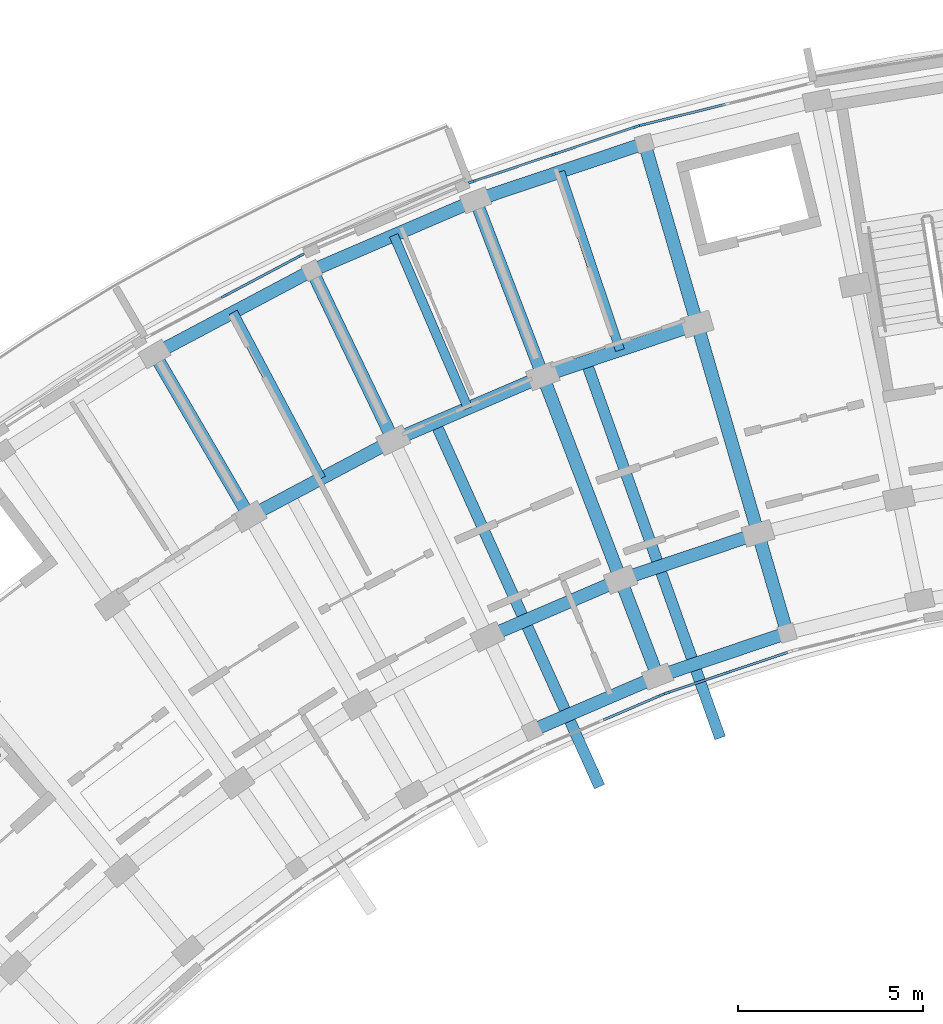
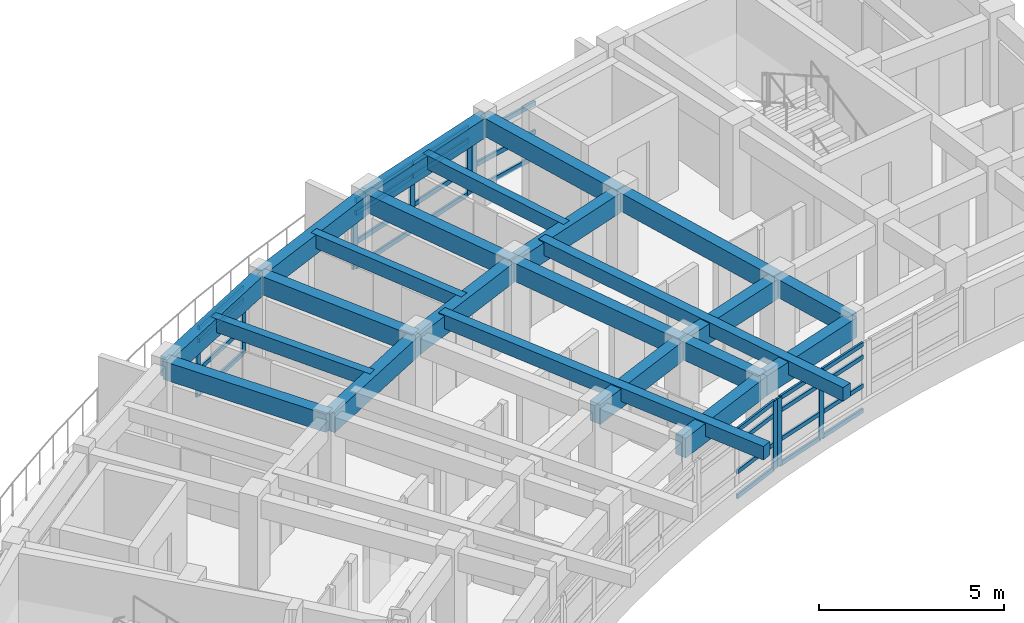
# One storey, part 5 of 55: 36 members, 23 beams, 5 elements without a shape of their own.
"""IFC4 building model written with IfcOpenShell, lengths in metres."""

from ifc_helpers import new_model, si_unit, direction, frame, origin, origin_2d, place, context, subcontext, project, spatial, rectangle, extrude, material, material_profile, profile_set, type_object, element, aggregate, save


model = new_model("IFC4")

# Units and contexts
model_context = context("Model", 3, precision=1e-05, world=origin(), true_north=direction((0.0, 1.0)))
body_context = subcontext(model_context, "Body", "Model", "MODEL_VIEW")
ifc_project = project(units=[si_unit("LENGTHUNIT", "METRE"), si_unit("AREAUNIT", "SQUARE_METRE"), si_unit("VOLUMEUNIT", "CUBIC_METRE"), si_unit("PLANEANGLEUNIT", "RADIAN"), si_unit("MASSUNIT", "GRAM", prefix="KILO")], contexts=[model_context])

# Site, building, storey
site_placement = place(None, origin())
site = spatial("IfcSite", under=ifc_project, at=site_placement, CompositionType="ELEMENT")
building_placement = place(site_placement, origin())
building = spatial("IfcBuilding", under=site, at=building_placement, Name="Zimvara Arc Housing Community", CompositionType="ELEMENT")
storey_placement = place(building_placement, frame((0.0, 0.0, 14.300048828125)))
storey = spatial("IfcBuildingStorey", under=building, at=storey_placement, Name="L04", CompositionType="ELEMENT", Elevation=14.300048828125)

# Beams
ifc_material_1 = material(Name="Concrete C40/50", Category="concrete")
ifc_material_profile_1 = material_profile(ifc_material_1, rectangle(XDim=0.25, YDim=0.449951171875, at=origin_2d()), Name="RC 250x450")
ifc_profile_set_1 = profile_set([ifc_material_profile_1], Name="Concrete C40/50")
beam_type_1 = type_object("IfcBeamType", Name="BM-RC-250x450", PredefinedType="JOIST", material=ifc_profile_set_1)
beam_1_placement = place(storey_placement, frame((19.813232421875, 91.9892578125, 2.635009765625), z_axis=(-0.46853732736, 0.883443701019, 0.0), x_axis=(-0.883443701019, -0.46853732736, 0.0)))
element("IfcBeam", 1, at=beam_1_placement, inside=storey, type_object=beam_type_1, Name="bm:blkA:L04:joist:b4", PredefinedType="JOIST", context=body_context, shape_type="SweptSolid", body=[
    extrude(rectangle(XDim=0.25, YDim=0.449951171875, at=origin_2d()), origin(), (0.0, 0.0, 1.0), 5.07568359375),
])
beam_2_placement = place(storey_placement, frame((23.77197265625, 93.885986328125, 2.635009765625), z_axis=(-0.394929109608, 0.918711596958, 0.0), x_axis=(-0.918711596958, -0.394929109608, 0.0)))
element("IfcBeam", 2, at=beam_2_placement, inside=storey, type_object=beam_type_1, Name="bm:blkA:L04:joist:b5", PredefinedType="JOIST", context=body_context, shape_type="SweptSolid", body=[
    extrude(rectangle(XDim=0.25, YDim=0.449951171875, at=origin_2d()), origin(), (0.0, 0.0, 1.0), 5.075927734375),
])
beam_3_placement = place(storey_placement, frame((27.8720703125, 95.453369140625, 2.635009765625), z_axis=(-0.318607669836, 0.947886677152, 0.0), x_axis=(-0.947886677152, -0.318607669836, 0.0)))
element("IfcBeam", 3, at=beam_3_placement, inside=storey, type_object=beam_type_1, Name="bm:blkA:L04:joist:b6", PredefinedType="JOIST", context=body_context, shape_type="SweptSolid", body=[
    extrude(rectangle(XDim=0.25, YDim=0.449951171875, at=origin_2d()), origin(), (0.0, 0.0, 1.0), 5.07568359375),
])
ifc_material_2 = material(Name="Concrete C40/50", Category="concrete")
ifc_material_profile_2 = material_profile(ifc_material_2, rectangle(XDim=0.300048828125, YDim=0.449951171875, at=origin_2d()), Name="RC 300x450")
ifc_profile_set_2 = profile_set([ifc_material_profile_2], Name="Concrete C40/50")
beam_type_2 = type_object("IfcBeamType", Name="BM-RC-300x450", PredefinedType="JOIST", material=ifc_profile_set_2)
beam_4_placement = place(storey_placement, frame((22.869384765625, 93.53759765625, 2.6650390625), z_axis=(0.411355165121, -0.911475138513, 0.0), x_axis=(0.911475138513, 0.411355165121, 0.0)))
element("IfcBeam", 4, at=beam_4_placement, inside=storey, type_object=beam_type_2, Name="bm:blkA:L04:cant_in:b5", PredefinedType="JOIST", context=body_context, shape_type="SweptSolid", body=[
    extrude(rectangle(XDim=0.300048828125, YDim=0.449951171875, at=origin_2d()), origin(), (0.0, 0.0, 1.0), 10.820068359375),
])
beam_5_placement = place(storey_placement, frame((26.9443359375, 95.1796875, 2.6650390625), z_axis=(0.335595863833, -0.942006059523, 0.0), x_axis=(0.942006059523, 0.335595863833, 0.0)))
element("IfcBeam", 5, at=beam_5_placement, inside=storey, type_object=beam_type_2, Name="bm:blkA:L04:cant_in:b6", PredefinedType="JOIST", context=body_context, shape_type="SweptSolid", body=[
    extrude(rectangle(XDim=0.300048828125, YDim=0.449951171875, at=origin_2d()), origin(), (0.0, 0.0, 1.0), 10.81982421875),
])
ifc_material_3 = material(Name="Concrete C40/50", Category="concrete")
ifc_material_profile_3 = material_profile(ifc_material_3, rectangle(XDim=0.35009765625, YDim=0.60009765625, at=origin_2d()), Name="RC 350x600")
ifc_profile_set_3 = profile_set([ifc_material_profile_3], Name="Concrete C40/50")
beam_type_3 = type_object("IfcBeamType", Name="BM-RC-350x600", PredefinedType="BEAM", material=ifc_profile_set_3)
beam_6_placement = place(storey_placement, frame((17.87255859375, 90.960205078125, 2.56005859375), z_axis=(-0.504196701544, 0.863588840915, 0.0), x_axis=(-0.863588840915, -0.504196701544, 0.0)))
element("IfcBeam", 6, at=beam_6_placement, inside=storey, type_object=beam_type_3, Name="bm:blkA:L04:rad:b4:r23", PredefinedType="BEAM", context=body_context, shape_type="SweptSolid", body=[
    extrude(rectangle(XDim=0.35009765625, YDim=0.60009765625, at=origin_2d()), origin(), (0.0, 0.0, 1.0), 5.079833984375),
])
beam_7_placement = place(storey_placement, frame((21.75390625, 93.0185546875, 2.56005859375), z_axis=(-0.432098194978, 0.901826563091, 0.0), x_axis=(-0.901826563091, -0.432098194978, 0.0)))
element("IfcBeam", 7, at=beam_7_placement, inside=storey, type_object=beam_type_3, Name="bm:blkA:L04:rad:b5:r23", PredefinedType="BEAM", context=body_context, shape_type="SweptSolid", body=[
    extrude(rectangle(XDim=0.35009765625, YDim=0.60009765625, at=origin_2d()), origin(), (0.0, 0.0, 1.0), 5.080078125),
])
beam_8_placement = place(storey_placement, frame((28.88916015625, 86.645751953125, 2.56005859375), z_axis=(-0.357079289134, 0.934074076972, 0.0), x_axis=(-0.934074076972, -0.357079289134, 0.0)))
element("IfcBeam", 8, at=beam_8_placement, inside=storey, type_object=beam_type_3, Name="bm:blkA:L04:rad:b6:r01", PredefinedType="BEAM", context=body_context, shape_type="SweptSolid", body=[
    extrude(rectangle(XDim=0.35009765625, YDim=0.60009765625, at=origin_2d()), origin(), (0.0, 0.0, 1.0), 2.7998046875),
])
beam_9_placement = place(storey_placement, frame((27.889404296875, 89.260986328125, 2.56005859375), z_axis=(-0.357036247742, 0.934090529766, 0.0), x_axis=(-0.934090529766, -0.357036247742, 0.0)))
element("IfcBeam", 9, at=beam_9_placement, inside=storey, type_object=beam_type_3, Name="bm:blkA:L04:rad:b6:r12", PredefinedType="BEAM", context=body_context, shape_type="SweptSolid", body=[
    extrude(rectangle(XDim=0.35009765625, YDim=0.60009765625, at=origin_2d()), origin(), (0.0, 0.0, 1.0), 5.8798828125),
])
beam_10_placement = place(storey_placement, frame((25.7900390625, 94.75341796875, 2.56005859375), z_axis=(-0.357078271386, 0.934074466038, 0.0), x_axis=(-0.934074466038, -0.357078271386, 0.0)))
element("IfcBeam", 10, at=beam_10_placement, inside=storey, type_object=beam_type_3, Name="bm:blkA:L04:rad:b6:r23", PredefinedType="BEAM", context=body_context, shape_type="SweptSolid", body=[
    extrude(rectangle(XDim=0.35009765625, YDim=0.60009765625, at=origin_2d()), origin(), (0.0, 0.0, 1.0), 5.080078125),
])
beam_11_placement = place(storey_placement, frame((32.381591796875, 87.819580078125, 2.56005859375), z_axis=(-0.279635015525, 0.960106378529, 0.0), x_axis=(-0.960106378529, -0.279635015525, 0.0)))
element("IfcBeam", 11, at=beam_11_placement, inside=storey, type_object=beam_type_3, Name="bm:blkA:L04:rad:b7:r01", PredefinedType="BEAM", context=body_context, shape_type="SweptSolid", body=[
    extrude(rectangle(XDim=0.35009765625, YDim=0.60009765625, at=origin_2d()), origin(), (0.0, 0.0, 1.0), 2.800048828125),
])
beam_12_placement = place(storey_placement, frame((31.5986328125, 90.5078125, 2.56005859375), z_axis=(-0.27967473749, 0.960094808449, 0.0), x_axis=(-0.960094808449, -0.27967473749, 0.0)))
element("IfcBeam", 12, at=beam_12_placement, inside=storey, type_object=beam_type_3, Name="bm:blkA:L04:rad:b7:r12", PredefinedType="BEAM", context=body_context, shape_type="SweptSolid", body=[
    extrude(rectangle(XDim=0.35009765625, YDim=0.60009765625, at=origin_2d()), origin(), (0.0, 0.0, 1.0), 5.880126953125),
])
beam_13_placement = place(storey_placement, frame((29.9541015625, 96.1533203125, 2.56005859375), z_axis=(-0.279662254096, 0.960098444762, 0.0), x_axis=(-0.960098444762, -0.279662254096, 0.0)))
element("IfcBeam", 13, at=beam_13_placement, inside=storey, type_object=beam_type_3, Name="bm:blkA:L04:rad:b7:r23", PredefinedType="BEAM", context=body_context, shape_type="SweptSolid", body=[
    extrude(rectangle(XDim=0.35009765625, YDim=0.60009765625, at=origin_2d()), origin(), (0.0, 0.0, 1.0), 5.079833984375),
])
ifc_material_4 = material(Name="Concrete C40/50", Category="concrete")
ifc_material_profile_4 = material_profile(ifc_material_4, rectangle(XDim=0.35009765625, YDim=0.64990234375, at=origin_2d()), Name="RC 350x650")
ifc_profile_set_4 = profile_set([ifc_material_profile_4], Name="Concrete C40/50")
beam_type_4 = type_object("IfcBeamType", Name="BM-RC-350x650", PredefinedType="BEAM", material=ifc_profile_set_4)
for number, where, z_axis, x_axis, name in (
    (14, (25.50439453125, 85.190673828125, 2.534912109375), (0.918705736243, 0.394942742932, 0.0), (-0.394942742932, 0.918705736243, 0.0), "bm:blkA:L04:chord:r0:b5"),
    (15, (28.88916015625, 86.645751953125, 2.534912109375), (0.94789181932, 0.31859237101, 0.0), (-0.31859237101, 0.94789181932, 0.0), "bm:blkA:L04:chord:r0:b6"),
):
    element("IfcBeam", number, at=place(storey_placement, frame(where, z_axis=z_axis, x_axis=x_axis)), inside=storey, type_object=beam_type_4, Name=name, PredefinedType="BEAM", context=body_context, shape_type="SweptSolid", body=[
        extrude(rectangle(XDim=0.35009765625, YDim=0.64990234375, at=origin_2d()), origin(), (0.0, 0.0, 1.0), 3.684326171875),
    ])
for number, where, z_axis, x_axis, name in (
    (16, (24.29443359375, 87.7158203125, 2.534912109375), (0.91873144242, 0.394882940514, 0.0), (-0.394882940514, 0.91873144242, 0.0), "bm:blkA:L04:chord:r1:b5"),
    (17, (27.889404296875, 89.260986328125, 2.534912109375), (0.947881689069, 0.31862250945, 0.0), (-0.31862250945, 0.947881689069, 0.0), "bm:blkA:L04:chord:r1:b6"),
):
    element("IfcBeam", number, at=place(storey_placement, frame(where, z_axis=z_axis, x_axis=x_axis)), inside=storey, type_object=beam_type_4, Name=name, PredefinedType="BEAM", context=body_context, shape_type="SweptSolid", body=[
        extrude(rectangle(XDim=0.35009765625, YDim=0.64990234375, at=origin_2d()), origin(), (0.0, 0.0, 1.0), 3.9130859375),
    ])
for number, where, z_axis, x_axis, name in (
    (18, (17.87255859375, 90.960205078125, 2.534912109375), (0.883456526058, 0.468513144496, 0.0), (-0.468513144496, 0.883456526058, 0.0), "bm:blkA:L04:chord:r2:b4"),
    (19, (21.75390625, 93.0185546875, 2.534912109375), (0.918724840088, 0.394898301093, 0.0), (-0.394898301093, 0.918724840088, 0.0), "bm:blkA:L04:chord:r2:b5"),
):
    element("IfcBeam", number, at=place(storey_placement, frame(where, z_axis=z_axis, x_axis=x_axis)), inside=storey, type_object=beam_type_4, Name=name, PredefinedType="BEAM", context=body_context, shape_type="SweptSolid", body=[
        extrude(rectangle(XDim=0.35009765625, YDim=0.64990234375, at=origin_2d()), origin(), (0.0, 0.0, 1.0), 4.393310546875),
    ])
beam_14_placement = place(storey_placement, frame((25.7900390625, 94.75341796875, 2.534912109375), z_axis=(0.947868796036, 0.318660862832, 0.0), x_axis=(-0.318660862832, 0.947868796036, 0.0)))
element("IfcBeam", 20, at=beam_14_placement, inside=storey, type_object=beam_type_4, Name="bm:blkA:L04:chord:r2:b6", PredefinedType="BEAM", context=body_context, shape_type="SweptSolid", body=[
    extrude(rectangle(XDim=0.35009765625, YDim=0.64990234375, at=origin_2d()), origin(), (0.0, 0.0, 1.0), 4.39306640625),
])
beam_15_placement = place(storey_placement, frame((15.311279296875, 95.34716796875, 2.534912109375), z_axis=(0.883445542299, 0.468533855546, 0.0), x_axis=(-0.468533855546, 0.883445542299, 0.0)))
element("IfcBeam", 21, at=beam_15_placement, inside=storey, type_object=beam_type_4, Name="bm:blkA:L04:chord:r3:b4", PredefinedType="BEAM", context=body_context, shape_type="SweptSolid", body=[
    extrude(rectangle(XDim=0.35009765625, YDim=0.64990234375, at=origin_2d()), origin(), (0.0, 0.0, 1.0), 4.807861328125),
])
beam_16_placement = place(storey_placement, frame((19.558837890625, 97.599853515625, 2.534912109375), z_axis=(0.918724276228, 0.394899612901, 0.0), x_axis=(-0.394899612901, 0.918724276228, 0.0)))
element("IfcBeam", 22, at=beam_16_placement, inside=storey, type_object=beam_type_4, Name="bm:blkA:L04:chord:r3:b5", PredefinedType="BEAM", context=body_context, shape_type="SweptSolid", body=[
    extrude(rectangle(XDim=0.35009765625, YDim=0.64990234375, at=origin_2d()), origin(), (0.0, 0.0, 1.0), 4.80810546875),
])
beam_17_placement = place(storey_placement, frame((23.97607421875, 99.49853515625, 2.534912109375), z_axis=(0.947877948153, 0.31863363822, 0.0), x_axis=(-0.31863363822, 0.947877948153, 0.0)))
element("IfcBeam", 23, at=beam_17_placement, inside=storey, type_object=beam_type_4, Name="bm:blkA:L04:chord:r3:b6", PredefinedType="BEAM", context=body_context, shape_type="SweptSolid", body=[
    extrude(rectangle(XDim=0.35009765625, YDim=0.64990234375, at=origin_2d()), origin(), (0.0, 0.0, 1.0), 4.807861328125),
])

# Curtain wall, members
ifc_material_5 = material(Name="Anodised Aluminium AW-6063", Category="aluminium")
curtain_wall_type_1 = type_object("IfcCurtainWallType", Name="CW-SYS-02", PredefinedType="USERDEFINED", material=ifc_material_5)
curtain_wall_1_placement = place(storey_placement, origin())
curtain_wall_1 = element("IfcCurtainWall", 24, at=curtain_wall_1_placement, inside=storey, type_object=curtain_wall_type_1, Name="cw:blkA:L04:out:b4", ObjectType="CURTAIN WALL", PredefinedType="USERDEFINED")
ifc_material_6 = material(Name="Anodised Aluminium AW-6063", Category="aluminium")
ifc_material_profile_5 = material_profile(ifc_material_6, rectangle(XDim=0.06494140625, YDim=0.179931640625, at=origin_2d()), Name="ALU 65x180")
ifc_profile_set_5 = profile_set([ifc_material_profile_5], Name="Anodised Aluminium AW-6063")
member_type_1 = type_object("IfcMemberType", Name="CWM-65x150", PredefinedType="MULLION", material=ifc_profile_set_5)
member_1_placement = place(storey_placement, frame((17.200927734375, 96.914794921875, 0.0), z_axis=(0.0, 0.0, 1.0), x_axis=(-0.468546917761, 0.883438614651, 0.0)))
member_1 = element("IfcMember", 25, at=member_1_placement, type_object=member_type_1, Name="CW02 mullion 2", PredefinedType="MULLION", context=body_context, shape_type="SweptSolid", body=[
    extrude(rectangle(XDim=0.06494140625, YDim=0.179931640625, at=origin_2d()), origin(), (0.0, 0.0, 1.0), 2.25),
])
member_2_placement = place(storey_placement, frame((19.260986328125, 98.007568359375, 0.0), z_axis=(0.0, 0.0, 1.0), x_axis=(-0.468546917761, 0.883438614651, 0.0)))
member_2 = element("IfcMember", 26, at=member_2_placement, type_object=member_type_1, Name="CW02 mullion 3", PredefinedType="MULLION", context=body_context, shape_type="SweptSolid", body=[
    extrude(rectangle(XDim=0.06494140625, YDim=0.179931640625, at=origin_2d()), origin(), (0.0, 0.0, 1.0), 2.25),
])

# Curtain wall, member
ifc_material_7 = material(Name="Anodised Aluminium AW-6063", Category="aluminium")
curtain_wall_type_2 = type_object("IfcCurtainWallType", Name="CW-SYS-04", PredefinedType="USERDEFINED", material=ifc_material_7)
curtain_wall_2_placement = place(storey_placement, origin())
curtain_wall_2 = element("IfcCurtainWall", 27, at=curtain_wall_2_placement, inside=storey, type_object=curtain_wall_type_2, Name="cw:blkA:L04:in:b5", ObjectType="CURTAIN WALL", PredefinedType="USERDEFINED")
member_3_placement = place(storey_placement, frame((28.98291015625, 86.14208984375, 0.0), z_axis=(0.0, 0.0, 1.0), x_axis=(-0.394904493375, 0.918722178415, 0.0)))
member_3 = element("IfcMember", 28, at=member_3_placement, type_object=member_type_1, Name="CW04 mullion 3", PredefinedType="MULLION", context=body_context, shape_type="SweptSolid", body=[
    extrude(rectangle(XDim=0.06494140625, YDim=0.179931640625, at=origin_2d()), origin(), (0.0, 0.0, 1.0), 2.25),
])

# Curtain wall, members
ifc_material_8 = material(Name="Anodised Aluminium AW-6063", Category="aluminium")
curtain_wall_type_3 = type_object("IfcCurtainWallType", Name="CW-SYS-06", PredefinedType="USERDEFINED", material=ifc_material_8)
curtain_wall_3_placement = place(storey_placement, origin())
curtain_wall_3 = element("IfcCurtainWall", 29, at=curtain_wall_3_placement, inside=storey, type_object=curtain_wall_type_3, Name="cw:blkA:L04:in:b6", ObjectType="CURTAIN WALL", PredefinedType="USERDEFINED")
member_4_placement = place(storey_placement, frame((29.155517578125, 86.2080078125, 0.0), z_axis=(0.0, 0.0, 1.0), x_axis=(-0.318630249383, 0.94787908732, 0.0)))
member_4 = element("IfcMember", 30, at=member_4_placement, type_object=member_type_1, Name="CW06 mullion 1", PredefinedType="MULLION", context=body_context, shape_type="SweptSolid", body=[
    extrude(rectangle(XDim=0.06494140625, YDim=0.179931640625, at=origin_2d()), origin(), (0.0, 0.0, 1.0), 2.25),
])
member_5_placement = place(storey_placement, frame((30.794677734375, 86.759033203125, 0.0), z_axis=(0.0, 0.0, 1.0), x_axis=(-0.318630249383, 0.94787908732, 0.0)))
member_5 = element("IfcMember", 31, at=member_5_placement, type_object=member_type_1, Name="CW06 mullion 2", PredefinedType="MULLION", context=body_context, shape_type="SweptSolid", body=[
    extrude(rectangle(XDim=0.06494140625, YDim=0.179931640625, at=origin_2d()), origin(), (0.0, 0.0, 1.0), 2.25),
])

ifc_material_9 = material(Name="Anodised Aluminium AW-6063", Category="aluminium")
curtain_wall_type_4 = type_object("IfcCurtainWallType", Name="CW-SYS-05", PredefinedType="USERDEFINED", material=ifc_material_9)
curtain_wall_4_placement = place(storey_placement, origin())
curtain_wall_4 = element("IfcCurtainWall", 32, at=curtain_wall_4_placement, inside=storey, type_object=curtain_wall_type_4, Name="cw:blkA:L04:out:b6", ObjectType="CURTAIN WALL", PredefinedType="USERDEFINED")
ifc_material_10 = material(Name="Anodised Aluminium AW-6063", Category="aluminium")
ifc_material_profile_6 = material_profile(ifc_material_10, rectangle(XDim=0.06494140625, YDim=0.195068359375, at=origin_2d()), Name="ALU 65x195")
ifc_profile_set_6 = profile_set([ifc_material_profile_6], Name="Anodised Aluminium AW-6063")
member_type_2 = type_object("IfcMemberType", Name="CWM-65x180", PredefinedType="MULLION", material=ifc_profile_set_6)
member_6_placement = place(storey_placement, frame((23.88525390625, 99.9951171875, 0.0), z_axis=(0.0, 0.0, 1.0), x_axis=(-0.318628583921, 0.947879647164, 0.0)))
member_6 = element("IfcMember", 33, at=member_6_placement, type_object=member_type_2, Name="CW05 mullion 1", PredefinedType="MULLION", context=body_context, shape_type="SweptSolid", body=[
    extrude(rectangle(XDim=0.06494140625, YDim=0.195068359375, at=origin_2d()), origin(), (0.0, 0.0, 1.0), 2.25),
])
member_7_placement = place(storey_placement, frame((26.095703125, 100.73828125, 0.0), z_axis=(0.0, 0.0, 1.0), x_axis=(-0.318628583921, 0.947879647164, 0.0)))
member_7 = element("IfcMember", 34, at=member_7_placement, type_object=member_type_2, Name="CW05 mullion 2", PredefinedType="MULLION", context=body_context, shape_type="SweptSolid", body=[
    extrude(rectangle(XDim=0.06494140625, YDim=0.195068359375, at=origin_2d()), origin(), (0.0, 0.0, 1.0), 2.25),
])
member_8_placement = place(storey_placement, frame((28.305908203125, 101.481201171875, 0.0), z_axis=(0.0, 0.0, 1.0), x_axis=(-0.318628583921, 0.947879647164, 0.0)))
member_8 = element("IfcMember", 35, at=member_8_placement, type_object=member_type_2, Name="CW05 mullion 3", PredefinedType="MULLION", context=body_context, shape_type="SweptSolid", body=[
    extrude(rectangle(XDim=0.06494140625, YDim=0.195068359375, at=origin_2d()), origin(), (0.0, 0.0, 1.0), 2.25),
])

# Curtain wall, member
ifc_material_11 = material(Name="Anodised Aluminium AW-6063", Category="aluminium")
curtain_wall_type_5 = type_object("IfcCurtainWallType", Name="CW-SYS-07", PredefinedType="USERDEFINED", material=ifc_material_11)
curtain_wall_5_placement = place(storey_placement, origin())
curtain_wall_5 = element("IfcCurtainWall", 36, at=curtain_wall_5_placement, inside=storey, type_object=curtain_wall_type_5, Name="cw:blkA:L04:out:b7", ObjectType="CURTAIN WALL", PredefinedType="USERDEFINED")
member_9_placement = place(storey_placement, frame((28.4833984375, 101.532958984375, 0.0), z_axis=(0.0, 0.0, 1.0), x_axis=(-0.240229711131, 0.970716068627, 0.0)))
member_9 = element("IfcMember", 37, at=member_9_placement, type_object=member_type_2, Name="CW07 mullion 1", PredefinedType="MULLION", context=body_context, shape_type="SweptSolid", body=[
    extrude(rectangle(XDim=0.06494140625, YDim=0.195068359375, at=origin_2d()), origin(), (0.0, 0.0, 1.0), 2.25),
])

# Member
ifc_material_12 = material(Name="Anodised Aluminium AW-6063", Category="aluminium")
ifc_material_profile_7 = material_profile(ifc_material_12, rectangle(XDim=0.06494140625, YDim=0.139892578125, at=origin_2d()), Name="ALU 65x140")
ifc_profile_set_7 = profile_set([ifc_material_profile_7], Name="Anodised Aluminium AW-6063")
member_type_3 = type_object("IfcMemberType", Name="CWT-65x120", PredefinedType="USERDEFINED", material=ifc_profile_set_7)
member_10_placement = place(storey_placement, frame((17.2294921875, 96.93017578125, 0.032470703125), z_axis=(0.883489114766, 0.468451688107, 0.0), x_axis=(-0.468451688107, 0.883489114766, 0.0)))
member_10 = element("IfcMember", 38, at=member_10_placement, type_object=member_type_3, Name="CW02 transom 2.1", ObjectType="TRANSOM", PredefinedType="USERDEFINED", context=body_context, shape_type="SweptSolid", body=[
    extrude(rectangle(XDim=0.06494140625, YDim=0.139892578125, at=origin_2d()), origin(), (0.0, 0.0, 1.0), 2.26708984375),
])

member_11_placement = place(storey_placement, frame((17.2294921875, 96.93017578125, 0.849853515625), z_axis=(0.883489114766, 0.468451688107, 0.0), x_axis=(-0.468451688107, 0.883489114766, 0.0)))
member_11 = element("IfcMember", 39, at=member_11_placement, type_object=member_type_3, Name="CW02 transom 2.2", ObjectType="TRANSOM", PredefinedType="USERDEFINED", context=body_context, shape_type="SweptSolid", body=[
    extrude(rectangle(XDim=0.06494140625, YDim=0.139892578125, at=origin_2d()), origin(), (0.0, 0.0, 1.0), 2.26708984375),
])

member_12_placement = place(storey_placement, frame((17.2294921875, 96.93017578125, 1.800048828125), z_axis=(0.883489114766, 0.468451688107, 0.0), x_axis=(-0.468451688107, 0.883489114766, 0.0)))
member_12 = element("IfcMember", 40, at=member_12_placement, type_object=member_type_3, Name="CW02 transom 2.3", ObjectType="TRANSOM", PredefinedType="USERDEFINED", context=body_context, shape_type="SweptSolid", body=[
    extrude(rectangle(XDim=0.06494140625, YDim=0.139892578125, at=origin_2d()), origin(), (0.0, 0.0, 1.0), 2.26708984375),
])

member_13_placement = place(storey_placement, frame((17.2294921875, 96.93017578125, 2.217529296875), z_axis=(0.883489114766, 0.468451688107, 0.0), x_axis=(-0.468451688107, 0.883489114766, 0.0)))
member_13 = element("IfcMember", 41, at=member_13_placement, type_object=member_type_3, Name="CW02 transom 2.4", ObjectType="TRANSOM", PredefinedType="USERDEFINED", context=body_context, shape_type="SweptSolid", body=[
    extrude(rectangle(XDim=0.06494140625, YDim=0.139892578125, at=origin_2d()), origin(), (0.0, 0.0, 1.0), 2.26708984375),
])

aggregate(curtain_wall_1, [member_1, member_2, member_10, member_11, member_12, member_13])

member_14_placement = place(storey_placement, frame((27.423828125, 85.471923828125, 0.032470703125), z_axis=(0.918673978315, 0.395016609229, 0.0), x_axis=(-0.395016609229, 0.918673978315, 0.0)))
member_14 = element("IfcMember", 42, at=member_14_placement, type_object=member_type_3, Name="CW04 transom 2.1", ObjectType="TRANSOM", PredefinedType="USERDEFINED", context=body_context, shape_type="SweptSolid", body=[
    extrude(rectangle(XDim=0.06494140625, YDim=0.139892578125, at=origin_2d()), origin(), (0.0, 0.0, 1.0), 1.664306640625),
])

member_15_placement = place(storey_placement, frame((27.423828125, 85.471923828125, 0.849853515625), z_axis=(0.918673978315, 0.395016609229, 0.0), x_axis=(-0.395016609229, 0.918673978315, 0.0)))
member_15 = element("IfcMember", 43, at=member_15_placement, type_object=member_type_3, Name="CW04 transom 2.2", ObjectType="TRANSOM", PredefinedType="USERDEFINED", context=body_context, shape_type="SweptSolid", body=[
    extrude(rectangle(XDim=0.06494140625, YDim=0.139892578125, at=origin_2d()), origin(), (0.0, 0.0, 1.0), 1.664306640625),
])

member_16_placement = place(storey_placement, frame((27.423828125, 85.471923828125, 1.800048828125), z_axis=(0.918673978315, 0.395016609229, 0.0), x_axis=(-0.395016609229, 0.918673978315, 0.0)))
member_16 = element("IfcMember", 44, at=member_16_placement, type_object=member_type_3, Name="CW04 transom 2.3", ObjectType="TRANSOM", PredefinedType="USERDEFINED", context=body_context, shape_type="SweptSolid", body=[
    extrude(rectangle(XDim=0.06494140625, YDim=0.139892578125, at=origin_2d()), origin(), (0.0, 0.0, 1.0), 1.664306640625),
])

member_17_placement = place(storey_placement, frame((27.423828125, 85.471923828125, 2.217529296875), z_axis=(0.918673978315, 0.395016609229, 0.0), x_axis=(-0.395016609229, 0.918673978315, 0.0)))
member_17 = element("IfcMember", 45, at=member_17_placement, type_object=member_type_3, Name="CW04 transom 2.4", ObjectType="TRANSOM", PredefinedType="USERDEFINED", context=body_context, shape_type="SweptSolid", body=[
    extrude(rectangle(XDim=0.06494140625, YDim=0.139892578125, at=origin_2d()), origin(), (0.0, 0.0, 1.0), 1.664306640625),
])

aggregate(curtain_wall_2, [member_3, member_14, member_15, member_16, member_17])

member_18_placement = place(storey_placement, frame((29.186279296875, 86.218505859375, 0.032470703125), z_axis=(0.947888214723, 0.318603095385, 0.0), x_axis=(-0.318603095385, 0.947888214723, 0.0)))
member_18 = element("IfcMember", 46, at=member_18_placement, type_object=member_type_3, Name="CW06 transom 1.1", ObjectType="TRANSOM", PredefinedType="USERDEFINED", context=body_context, shape_type="SweptSolid", body=[
    extrude(rectangle(XDim=0.06494140625, YDim=0.139892578125, at=origin_2d()), origin(), (0.0, 0.0, 1.0), 1.664306640625),
])

member_19_placement = place(storey_placement, frame((29.186279296875, 86.218505859375, 0.849853515625), z_axis=(0.947888214723, 0.318603095385, 0.0), x_axis=(-0.318603095385, 0.947888214723, 0.0)))
member_19 = element("IfcMember", 47, at=member_19_placement, type_object=member_type_3, Name="CW06 transom 1.2", ObjectType="TRANSOM", PredefinedType="USERDEFINED", context=body_context, shape_type="SweptSolid", body=[
    extrude(rectangle(XDim=0.06494140625, YDim=0.139892578125, at=origin_2d()), origin(), (0.0, 0.0, 1.0), 1.664306640625),
])

member_20_placement = place(storey_placement, frame((29.186279296875, 86.218505859375, 1.800048828125), z_axis=(0.947888214723, 0.318603095385, 0.0), x_axis=(-0.318603095385, 0.947888214723, 0.0)))
member_20 = element("IfcMember", 48, at=member_20_placement, type_object=member_type_3, Name="CW06 transom 1.3", ObjectType="TRANSOM", PredefinedType="USERDEFINED", context=body_context, shape_type="SweptSolid", body=[
    extrude(rectangle(XDim=0.06494140625, YDim=0.139892578125, at=origin_2d()), origin(), (0.0, 0.0, 1.0), 1.664306640625),
])

member_21_placement = place(storey_placement, frame((29.186279296875, 86.218505859375, 2.217529296875), z_axis=(0.947888214723, 0.318603095385, 0.0), x_axis=(-0.318603095385, 0.947888214723, 0.0)))
member_21 = element("IfcMember", 49, at=member_21_placement, type_object=member_type_3, Name="CW06 transom 1.4", ObjectType="TRANSOM", PredefinedType="USERDEFINED", context=body_context, shape_type="SweptSolid", body=[
    extrude(rectangle(XDim=0.06494140625, YDim=0.139892578125, at=origin_2d()), origin(), (0.0, 0.0, 1.0), 1.664306640625),
])

member_22_placement = place(storey_placement, frame((30.825439453125, 86.76953125, 0.032470703125), z_axis=(0.947888214723, 0.318603095385, 0.0), x_axis=(-0.318603095385, 0.947888214723, 0.0)))
member_22 = element("IfcMember", 50, at=member_22_placement, type_object=member_type_3, Name="CW06 transom 2.1", ObjectType="TRANSOM", PredefinedType="USERDEFINED", context=body_context, shape_type="SweptSolid", body=[
    extrude(rectangle(XDim=0.06494140625, YDim=0.139892578125, at=origin_2d()), origin(), (0.0, 0.0, 1.0), 1.664306640625),
])

member_23_placement = place(storey_placement, frame((30.825439453125, 86.76953125, 0.849853515625), z_axis=(0.947888214723, 0.318603095385, 0.0), x_axis=(-0.318603095385, 0.947888214723, 0.0)))
member_23 = element("IfcMember", 51, at=member_23_placement, type_object=member_type_3, Name="CW06 transom 2.2", ObjectType="TRANSOM", PredefinedType="USERDEFINED", context=body_context, shape_type="SweptSolid", body=[
    extrude(rectangle(XDim=0.06494140625, YDim=0.139892578125, at=origin_2d()), origin(), (0.0, 0.0, 1.0), 1.664306640625),
])

member_24_placement = place(storey_placement, frame((30.825439453125, 86.76953125, 1.800048828125), z_axis=(0.947888214723, 0.318603095385, 0.0), x_axis=(-0.318603095385, 0.947888214723, 0.0)))
member_24 = element("IfcMember", 52, at=member_24_placement, type_object=member_type_3, Name="CW06 transom 2.3", ObjectType="TRANSOM", PredefinedType="USERDEFINED", context=body_context, shape_type="SweptSolid", body=[
    extrude(rectangle(XDim=0.06494140625, YDim=0.139892578125, at=origin_2d()), origin(), (0.0, 0.0, 1.0), 1.664306640625),
])

member_25_placement = place(storey_placement, frame((30.825439453125, 86.76953125, 2.217529296875), z_axis=(0.947888214723, 0.318603095385, 0.0), x_axis=(-0.318603095385, 0.947888214723, 0.0)))
member_25 = element("IfcMember", 53, at=member_25_placement, type_object=member_type_3, Name="CW06 transom 2.4", ObjectType="TRANSOM", PredefinedType="USERDEFINED", context=body_context, shape_type="SweptSolid", body=[
    extrude(rectangle(XDim=0.06494140625, YDim=0.139892578125, at=origin_2d()), origin(), (0.0, 0.0, 1.0), 1.664306640625),
])

aggregate(curtain_wall_3, [member_4, member_5, member_18, member_19, member_20, member_21, member_22, member_23, member_24, member_25])

ifc_material_13 = material(Name="Anodised Aluminium AW-6063", Category="aluminium")
ifc_material_profile_8 = material_profile(ifc_material_13, rectangle(XDim=0.06494140625, YDim=0.155029296875, at=origin_2d()), Name="ALU 65x155")
ifc_profile_set_8 = profile_set([ifc_material_profile_8], Name="Anodised Aluminium AW-6063")
member_type_4 = type_object("IfcMemberType", Name="CWT-65x140", PredefinedType="USERDEFINED", material=ifc_profile_set_8)
member_26_placement = place(storey_placement, frame((23.916015625, 100.00537109375, 0.032470703125), z_axis=(0.947861605379, 0.318682250916, 0.0), x_axis=(-0.318682250916, 0.947861605379, 0.0)))
member_26 = element("IfcMember", 54, at=member_26_placement, type_object=member_type_4, Name="CW05 transom 1.1", ObjectType="TRANSOM", PredefinedType="USERDEFINED", context=body_context, shape_type="SweptSolid", body=[
    extrude(rectangle(XDim=0.06494140625, YDim=0.155029296875, at=origin_2d()), origin(), (0.0, 0.0, 1.0), 2.266845703125),
])

member_27_placement = place(storey_placement, frame((23.916015625, 100.00537109375, 0.849853515625), z_axis=(0.947861605379, 0.318682250916, 0.0), x_axis=(-0.318682250916, 0.947861605379, 0.0)))
member_27 = element("IfcMember", 55, at=member_27_placement, type_object=member_type_4, Name="CW05 transom 1.2", ObjectType="TRANSOM", PredefinedType="USERDEFINED", context=body_context, shape_type="SweptSolid", body=[
    extrude(rectangle(XDim=0.06494140625, YDim=0.155029296875, at=origin_2d()), origin(), (0.0, 0.0, 1.0), 2.266845703125),
])

member_28_placement = place(storey_placement, frame((23.916015625, 100.00537109375, 1.800048828125), z_axis=(0.947861605379, 0.318682250916, 0.0), x_axis=(-0.318682250916, 0.947861605379, 0.0)))
member_28 = element("IfcMember", 56, at=member_28_placement, type_object=member_type_4, Name="CW05 transom 1.3", ObjectType="TRANSOM", PredefinedType="USERDEFINED", context=body_context, shape_type="SweptSolid", body=[
    extrude(rectangle(XDim=0.06494140625, YDim=0.155029296875, at=origin_2d()), origin(), (0.0, 0.0, 1.0), 2.266845703125),
])

member_29_placement = place(storey_placement, frame((23.916015625, 100.00537109375, 2.217529296875), z_axis=(0.947861605379, 0.318682250916, 0.0), x_axis=(-0.318682250916, 0.947861605379, 0.0)))
member_29 = element("IfcMember", 57, at=member_29_placement, type_object=member_type_4, Name="CW05 transom 1.4", ObjectType="TRANSOM", PredefinedType="USERDEFINED", context=body_context, shape_type="SweptSolid", body=[
    extrude(rectangle(XDim=0.06494140625, YDim=0.155029296875, at=origin_2d()), origin(), (0.0, 0.0, 1.0), 2.266845703125),
])

member_30_placement = place(storey_placement, frame((26.12646484375, 100.74853515625, 0.032470703125), z_axis=(0.947861605379, 0.318682250916, 0.0), x_axis=(-0.318682250916, 0.947861605379, 0.0)))
member_30 = element("IfcMember", 58, at=member_30_placement, type_object=member_type_4, Name="CW05 transom 2.1", ObjectType="TRANSOM", PredefinedType="USERDEFINED", context=body_context, shape_type="SweptSolid", body=[
    extrude(rectangle(XDim=0.06494140625, YDim=0.155029296875, at=origin_2d()), origin(), (0.0, 0.0, 1.0), 2.266845703125),
])

member_31_placement = place(storey_placement, frame((26.12646484375, 100.74853515625, 0.849853515625), z_axis=(0.947861605379, 0.318682250916, 0.0), x_axis=(-0.318682250916, 0.947861605379, 0.0)))
member_31 = element("IfcMember", 59, at=member_31_placement, type_object=member_type_4, Name="CW05 transom 2.2", ObjectType="TRANSOM", PredefinedType="USERDEFINED", context=body_context, shape_type="SweptSolid", body=[
    extrude(rectangle(XDim=0.06494140625, YDim=0.155029296875, at=origin_2d()), origin(), (0.0, 0.0, 1.0), 2.266845703125),
])

member_32_placement = place(storey_placement, frame((26.12646484375, 100.74853515625, 1.800048828125), z_axis=(0.947861605379, 0.318682250916, 0.0), x_axis=(-0.318682250916, 0.947861605379, 0.0)))
member_32 = element("IfcMember", 60, at=member_32_placement, type_object=member_type_4, Name="CW05 transom 2.3", ObjectType="TRANSOM", PredefinedType="USERDEFINED", context=body_context, shape_type="SweptSolid", body=[
    extrude(rectangle(XDim=0.06494140625, YDim=0.155029296875, at=origin_2d()), origin(), (0.0, 0.0, 1.0), 2.266845703125),
])

member_33_placement = place(storey_placement, frame((26.12646484375, 100.74853515625, 2.217529296875), z_axis=(0.947861605379, 0.318682250916, 0.0), x_axis=(-0.318682250916, 0.947861605379, 0.0)))
member_33 = element("IfcMember", 61, at=member_33_placement, type_object=member_type_4, Name="CW05 transom 2.4", ObjectType="TRANSOM", PredefinedType="USERDEFINED", context=body_context, shape_type="SweptSolid", body=[
    extrude(rectangle(XDim=0.06494140625, YDim=0.155029296875, at=origin_2d()), origin(), (0.0, 0.0, 1.0), 2.266845703125),
])

aggregate(curtain_wall_4, [member_6, member_7, member_8, member_26, member_27, member_28, member_29, member_30, member_31, member_32, member_33])

member_34_placement = place(storey_placement, frame((28.51513671875, 101.540771484375, 0.032470703125), z_axis=(0.970728837212, 0.240178110172, 0.0), x_axis=(-0.240178110172, 0.970728837212, 0.0)))
member_34 = element("IfcMember", 62, at=member_34_placement, type_object=member_type_4, Name="CW07 transom 1.1", ObjectType="TRANSOM", PredefinedType="USERDEFINED", context=body_context, shape_type="SweptSolid", body=[
    extrude(rectangle(XDim=0.06494140625, YDim=0.155029296875, at=origin_2d()), origin(), (0.0, 0.0, 1.0), 2.266845703125),
])

member_35_placement = place(storey_placement, frame((28.51513671875, 101.540771484375, 0.849853515625), z_axis=(0.970728837212, 0.240178110172, 0.0), x_axis=(-0.240178110172, 0.970728837212, 0.0)))
member_35 = element("IfcMember", 63, at=member_35_placement, type_object=member_type_4, Name="CW07 transom 1.2", ObjectType="TRANSOM", PredefinedType="USERDEFINED", context=body_context, shape_type="SweptSolid", body=[
    extrude(rectangle(XDim=0.06494140625, YDim=0.155029296875, at=origin_2d()), origin(), (0.0, 0.0, 1.0), 2.266845703125),
])

member_36_placement = place(storey_placement, frame((28.51513671875, 101.540771484375, 1.800048828125), z_axis=(0.970728837212, 0.240178110172, 0.0), x_axis=(-0.240178110172, 0.970728837212, 0.0)))
member_36 = element("IfcMember", 64, at=member_36_placement, type_object=member_type_4, Name="CW07 transom 1.3", ObjectType="TRANSOM", PredefinedType="USERDEFINED", context=body_context, shape_type="SweptSolid", body=[
    extrude(rectangle(XDim=0.06494140625, YDim=0.155029296875, at=origin_2d()), origin(), (0.0, 0.0, 1.0), 2.266845703125),
])

aggregate(curtain_wall_5, [member_9, member_34, member_35, member_36])

save(model, "model.ifc")
